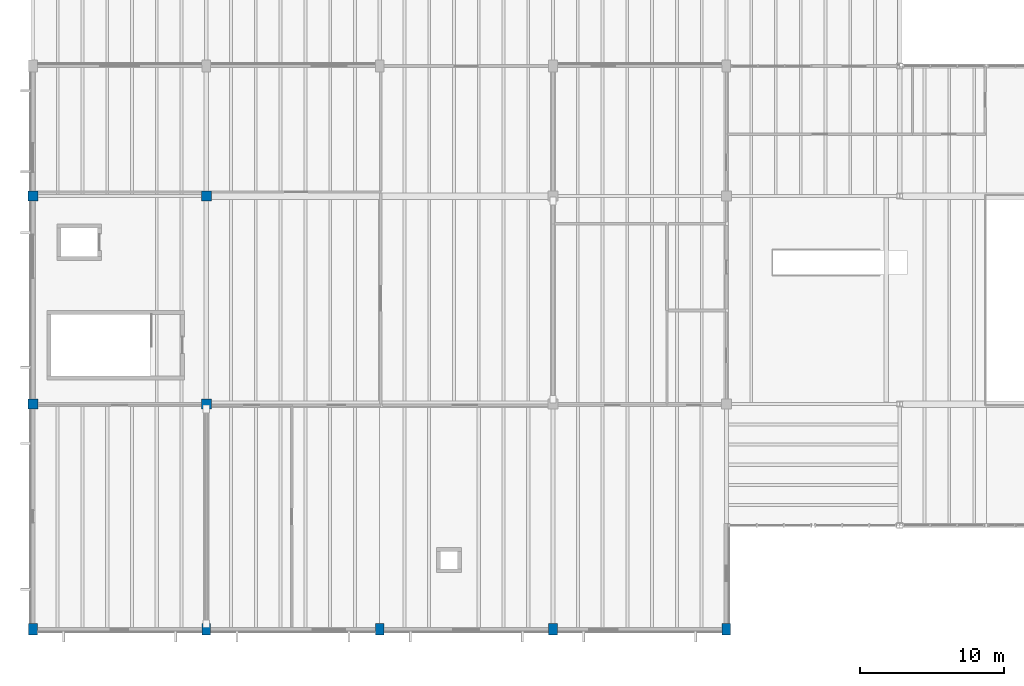
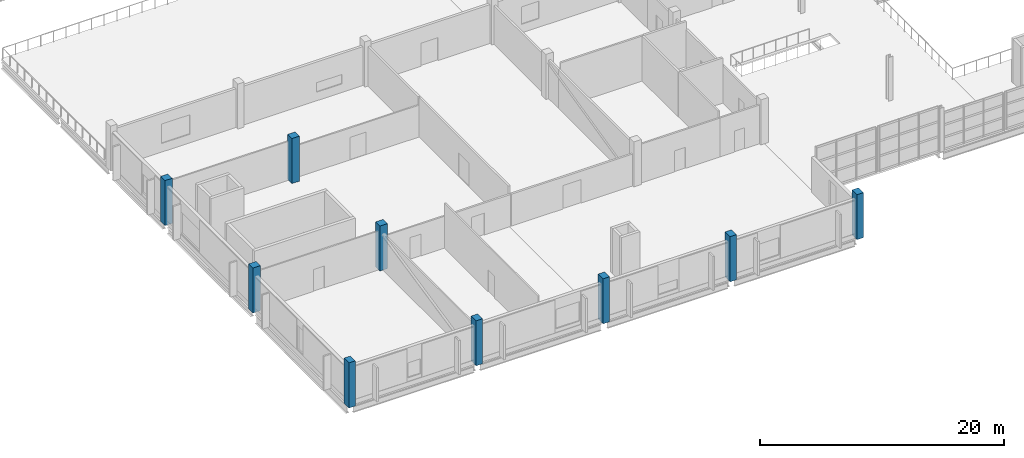
# One storey, part 1 of 78: 9 columns.
"""IFC4 building model written with IfcOpenShell, lengths in metres."""

from ifc_helpers import new_model, si_unit, direction, frame, origin, origin_2d, place, context, subcontext, project, spatial, rectangle, extrude, material, material_profile, profile_set, type_object, element, save


model = new_model("IFC4")

# Units and contexts
model_context = context("Model", 3, precision=1e-05, world=origin(), true_north=direction((0.0, 1.0)))
body_context = subcontext(model_context, "Body", "Model", "MODEL_VIEW")
ifc_project = project(units=[si_unit("LENGTHUNIT", "METRE"), si_unit("AREAUNIT", "SQUARE_METRE"), si_unit("VOLUMEUNIT", "CUBIC_METRE"), si_unit("PLANEANGLEUNIT", "RADIAN"), si_unit("MASSUNIT", "GRAM", prefix="KILO")], contexts=[model_context])

# Site, building, storey
site_placement = place(None, origin())
site = spatial("IfcSite", under=ifc_project, at=site_placement, CompositionType="ELEMENT")
building_placement = place(site_placement, origin())
building = spatial("IfcBuilding", under=site, at=building_placement, Name="Kelmvaro Bay Concert Hall", CompositionType="ELEMENT")
storey_placement = place(building_placement, frame((0.0, 0.0, 9.300048828125)))
storey = spatial("IfcBuildingStorey", under=building, at=storey_placement, Name="L02", CompositionType="ELEMENT", Elevation=9.300048828125)

# Columns
ifc_material_1 = material(Name="Concrete C40/50", Category="concrete")
ifc_material_profile_1 = material_profile(ifc_material_1, rectangle(XDim=0.699951171875, YDim=0.699951171875, at=origin_2d()), Name="RC-COL-700X700")
ifc_profile_set_1 = profile_set([ifc_material_profile_1], Name="Concrete C40/50")
column_type_1 = type_object("IfcColumnType", Name="Pavilion Mid Column RC700x700", PredefinedType="COLUMN", material=ifc_profile_set_1)
for number, where, z_axis, x_axis, name in (
    (1, (0.0, 15.60009765625, 0.0), (0.0, 0.0, 1.0), (1.0, 0.0, 0.0), "L02 Column V3G-0-156"),
    (2, (0.0, 30.0, 0.0), (0.0, 0.0, 1.0), (1.0, 0.0, 0.0), "L02 Column V3G-0-300"),
    (3, (12.0, 15.60009765625, 0.0), (0.0, 0.0, 1.0), (1.0, 0.0, 0.0), "L02 Column V3G-12-156"),
    (4, (12.0, 30.0, 0.0), (0.0, 0.0, 1.0), (1.0, 0.0, 0.0), "L02 Column V3G-12-300"),
):
    element("IfcColumn", number, at=place(storey_placement, frame(where, z_axis=z_axis, x_axis=x_axis)), inside=storey, type_object=column_type_1, Name=name, PredefinedType="COLUMN", context=body_context, shape_type="SweptSolid", body=[
        extrude(rectangle(XDim=0.699951171875, YDim=0.699951171875, at=origin_2d()), origin(), (0.0, 0.0, 1.0), 4.5),
    ])
ifc_material_2 = material(Name="Concrete C40/50", Category="concrete")
ifc_material_profile_2 = material_profile(ifc_material_2, rectangle(XDim=0.60009765625, YDim=0.800048828125, at=origin_2d()), Name="RC-COL-800X600")
ifc_profile_set_2 = profile_set([ifc_material_profile_2], Name="Concrete C40/50")
column_type_2 = type_object("IfcColumnType", Name="Perimeter Column RC800x600", PredefinedType="COLUMN", material=ifc_profile_set_2)
for number, where, z_axis, x_axis, name in (
    (5, (0.0, 0.0, 0.0), (0.0, 0.0, 1.0), (1.0, 0.0, 0.0), "L02 Column V3P-0-0"),
    (6, (12.0, 0.0, 0.0), (0.0, 0.0, 1.0), (1.0, 0.0, 0.0), "L02 Column V3P-12-0"),
    (7, (24.0, 0.0, 0.0), (0.0, 0.0, 1.0), (1.0, 0.0, 0.0), "L02 Column V3P-24-0"),
    (8, (36.0, 0.0, 0.0), (0.0, 0.0, 1.0), (1.0, 0.0, 0.0), "L02 Column V3P-36-0"),
    (9, (48.0, 0.0, 0.0), (0.0, 0.0, 1.0), (1.0, 0.0, 0.0), "L02 Column V3P-48-0"),
):
    element("IfcColumn", number, at=place(storey_placement, frame(where, z_axis=z_axis, x_axis=x_axis)), inside=storey, type_object=column_type_2, Name=name, PredefinedType="COLUMN", context=body_context, shape_type="SweptSolid", body=[
        extrude(rectangle(XDim=0.60009765625, YDim=0.800048828125, at=origin_2d()), origin(), (0.0, 0.0, 1.0), 4.5),
    ])

save(model, "model.ifc")
